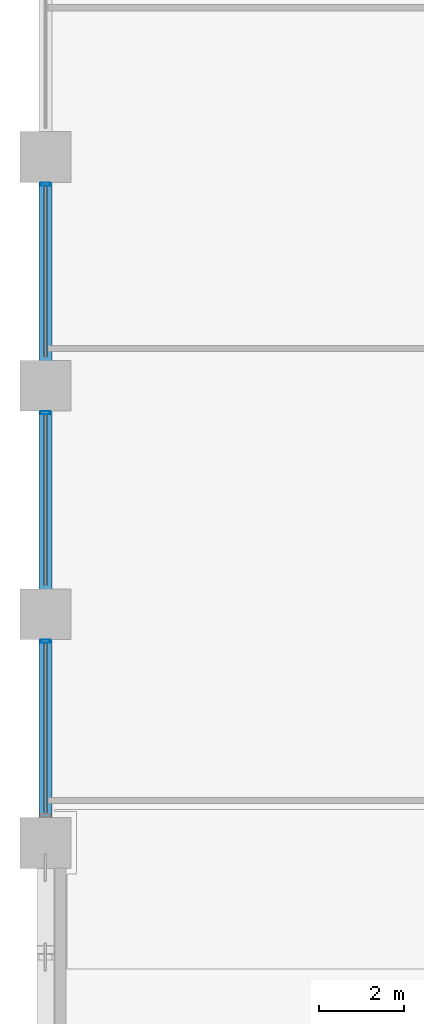
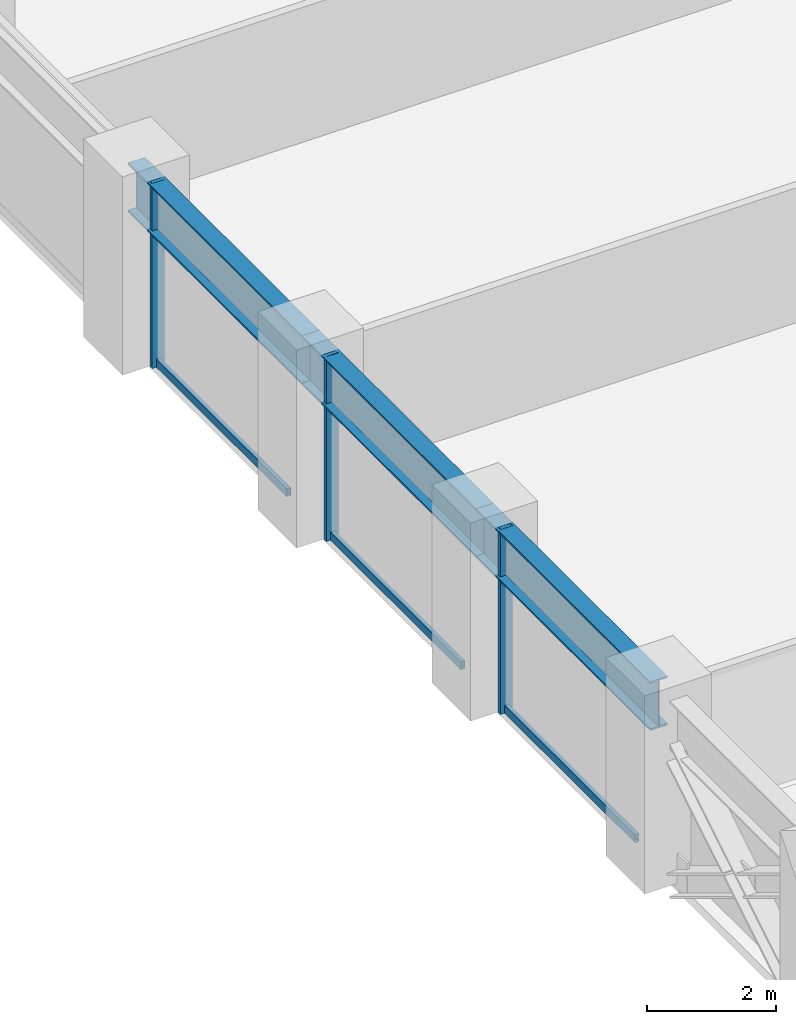
# One storey, part 6 of 26: 6 members, 3 beams, 1 element without a shape of its own.
"""IFC4 building model written with IfcOpenShell, lengths in metres."""

from ifc_helpers import new_model, si_unit, direction, frame, origin, origin_2d, place, context, subcontext, project, spatial, hollow_rectangle, i_section, extrude, material, layer, layer_set, material_profile, profile_set, type_object, element, aggregate, save


model = new_model("IFC4")

# Units and contexts
model_context = context("Model", 3, precision=1e-05, world=origin(), true_north=direction((0.0, 1.0)))
body_context = subcontext(model_context, "Body", "Model", "MODEL_VIEW")
ifc_project = project(units=[si_unit("LENGTHUNIT", "METRE"), si_unit("AREAUNIT", "SQUARE_METRE"), si_unit("VOLUMEUNIT", "CUBIC_METRE"), si_unit("PLANEANGLEUNIT", "RADIAN"), si_unit("MASSUNIT", "GRAM", prefix="KILO")], contexts=[model_context])

# Site, building, storey
site_placement = place(None, origin())
site = spatial("IfcSite", under=ifc_project, at=site_placement, CompositionType="ELEMENT")
building_placement = place(site_placement, origin())
building = spatial("IfcBuilding", under=site, at=building_placement, Name="Surkhivell Harbour Commons", CompositionType="ELEMENT")
storey_placement = place(building_placement, frame((0.0, 0.0, 75.0)))
storey = spatial("IfcBuildingStorey", under=building, at=storey_placement, Name="L19", CompositionType="ELEMENT", Elevation=75.0)

# Beams
ifc_material_1 = material(Name="Steel S460", Category="steel")
ifc_material_profile_1 = material_profile(ifc_material_1, i_section(OverallWidth=0.30810546875, OverallDepth=0.927001953125, WebThickness=0.01953125, FlangeThickness=0.031982421875, at=origin_2d()), Name="UB914x305x289")
ifc_profile_set_1 = profile_set([ifc_material_profile_1], Name="Steel S460")
beam_type = type_object("IfcBeamType", Name="BM-SPN-914B", PredefinedType="SPANDREL", material=ifc_profile_set_1)
beam_placement = place(storey_placement, frame((-32.39990234375, -10.800048828125, 3.03662109375), z_axis=(0.0, 1.0, 0.0), x_axis=(-1.0, 0.0, 0.0)))
element("IfcBeam", 1, at=beam_placement, inside=storey, type_object=beam_type, Name="L19 Tube Spandrel (-32.4,-10.8)", PredefinedType="SPANDREL", context=body_context, shape_type="SweptSolid", body=[
    extrude(i_section(OverallWidth=0.30810546875, OverallDepth=0.927001953125, WebThickness=0.01953125, FlangeThickness=0.031982421875, at=origin_2d()), origin(), (0.0, 0.0, 1.0), 5.400146484375),
])
for number, where, z_axis, x_axis, name in (
    (2, (-32.39990234375, -5.39990234375, 3.03662109375), (0.0, 1.0, 0.0), (-1.0, 0.0, 0.0), "L19 Tube Spandrel (-32.4,-5.4)"),
    (3, (-32.39990234375, 0.0, 3.03662109375), (0.0, 1.0, 0.0), (-1.0, 0.0, 0.0), "L19 Tube Spandrel (-32.4,0.0)"),
):
    element("IfcBeam", number, at=place(storey_placement, frame(where, z_axis=z_axis, x_axis=x_axis)), inside=storey, type_object=beam_type, Name=name, PredefinedType="SPANDREL", context=body_context, shape_type="SweptSolid", body=[
        extrude(i_section(OverallWidth=0.30810546875, OverallDepth=0.927001953125, WebThickness=0.01953125, FlangeThickness=0.031982421875, at=origin_2d()), origin(), (0.0, 0.0, 1.0), 5.39990234375),
    ])

# Curtain wall, members
ifc_material_2 = material(Name="Anodised pale-metal aluminium and insulated glazing", Category="aluminium")
ifc_layer = layer(ifc_material_2, 0.219970703125)
ifc_layer_set = layer_set([ifc_layer], Name="Anodised pale-metal aluminium and insulated glazing")
curtain_wall_type = type_object("IfcCurtainWallType", Name="CW-SYS-Z1", PredefinedType="NOTDEFINED", material=ifc_layer_set)
curtain_wall_placement = place(storey_placement, origin())
curtain_wall = element("IfcCurtainWall", 4, at=curtain_wall_placement, inside=storey, type_object=curtain_wall_type, Name="L19 Curtain Wall CW-L19-E12S1", PredefinedType="NOTDEFINED")
ifc_material_3 = material(Name="Anodised pale-metal aluminium alloy 6063-T6", Category="aluminium")
ifc_material_profile_2 = material_profile(ifc_material_3, hollow_rectangle(XDim=0.074951171875, YDim=0.219970703125, WallThickness=0.00390625, at=origin_2d()), Name="ALU-MULL-75x220")
ifc_profile_set_2 = profile_set([ifc_material_profile_2], Name="Anodised pale-metal aluminium alloy 6063-T6")
member_type_1 = type_object("IfcMemberType", Name="CWM-220", PredefinedType="MULLION", material=ifc_profile_set_2)
member_1_placement = place(storey_placement, frame((-32.39990234375, 4.760498046875, 0.0), z_axis=(0.0, 0.0, 1.0), x_axis=(0.0, -1.0, 0.0)))
member_1 = element("IfcMember", 5, at=member_1_placement, type_object=member_type_1, Name="CW-Z1 mullion 4", PredefinedType="MULLION", context=body_context, shape_type="SweptSolid", body=[
    extrude(hollow_rectangle(XDim=0.074951171875, YDim=0.219970703125, WallThickness=0.00390625, at=origin_2d()), origin(), (0.0, 0.0, 1.0), 3.5),
])
member_2_placement = place(storey_placement, frame((-32.39990234375, -0.639404296875, 0.0), z_axis=(0.0, 0.0, 1.0), x_axis=(0.0, -1.0, 0.0)))
member_2 = element("IfcMember", 6, at=member_2_placement, type_object=member_type_1, Name="CW-Z1 mullion 5", PredefinedType="MULLION", context=body_context, shape_type="SweptSolid", body=[
    extrude(hollow_rectangle(XDim=0.074951171875, YDim=0.219970703125, WallThickness=0.00390625, at=origin_2d()), origin(), (0.0, 0.0, 1.0), 3.5),
])
member_3_placement = place(storey_placement, frame((-32.39990234375, -6.03955078125, 0.0), z_axis=(0.0, 0.0, 1.0), x_axis=(0.0, -1.0, 0.0)))
member_3 = element("IfcMember", 7, at=member_3_placement, type_object=member_type_1, Name="CW-Z1 mullion 6", PredefinedType="MULLION", context=body_context, shape_type="SweptSolid", body=[
    extrude(hollow_rectangle(XDim=0.074951171875, YDim=0.219970703125, WallThickness=0.00390625, at=origin_2d()), origin(), (0.0, 0.0, 1.0), 3.5),
])
ifc_material_profile_3 = material_profile(ifc_material_3, hollow_rectangle(XDim=0.074951171875, YDim=0.14990234375, WallThickness=0.00341796875, at=origin_2d()), Name="ALU-TRAN-75x150")
ifc_profile_set_3 = profile_set([ifc_material_profile_3], Name="Anodised pale-metal aluminium alloy 6063-T6")
member_type_2 = type_object("IfcMemberType", Name="CWT-150", PredefinedType="USERDEFINED", material=ifc_profile_set_3)
member_4_placement = place(storey_placement, frame((-32.39990234375, 4.722900390625, 0.074951171875), z_axis=(0.0, -1.0, 0.0), x_axis=(1.0, 0.0, 0.0)))
member_4 = element("IfcMember", 8, at=member_4_placement, type_object=member_type_2, Name="CW-Z1 transom 4.1", ObjectType="TRANSOM", PredefinedType="USERDEFINED", context=body_context, shape_type="SweptSolid", body=[
    extrude(hollow_rectangle(XDim=0.074951171875, YDim=0.14990234375, WallThickness=0.00341796875, at=origin_2d()), origin(), (0.0, 0.0, 1.0), 4.0458984375),
])
member_5_placement = place(storey_placement, frame((-32.39990234375, -0.677001953125, 0.074951171875), z_axis=(0.0, -1.0, 0.0), x_axis=(1.0, 0.0, 0.0)))
member_5 = element("IfcMember", 9, at=member_5_placement, type_object=member_type_2, Name="CW-Z1 transom 5.1", ObjectType="TRANSOM", PredefinedType="USERDEFINED", context=body_context, shape_type="SweptSolid", body=[
    extrude(hollow_rectangle(XDim=0.074951171875, YDim=0.14990234375, WallThickness=0.00341796875, at=origin_2d()), origin(), (0.0, 0.0, 1.0), 4.0458984375),
])
member_6_placement = place(storey_placement, frame((-32.39990234375, -6.076904296875, 0.074951171875), z_axis=(0.0, -1.0, 0.0), x_axis=(1.0, 0.0, 0.0)))
member_6 = element("IfcMember", 10, at=member_6_placement, type_object=member_type_2, Name="CW-Z1 transom 6.1", ObjectType="TRANSOM", PredefinedType="USERDEFINED", context=body_context, shape_type="SweptSolid", body=[
    extrude(hollow_rectangle(XDim=0.074951171875, YDim=0.14990234375, WallThickness=0.00341796875, at=origin_2d()), origin(), (0.0, 0.0, 1.0), 4.046142578125),
])
aggregate(curtain_wall, [member_1, member_4, member_2, member_5, member_3, member_6])

save(model, "model.ifc")
